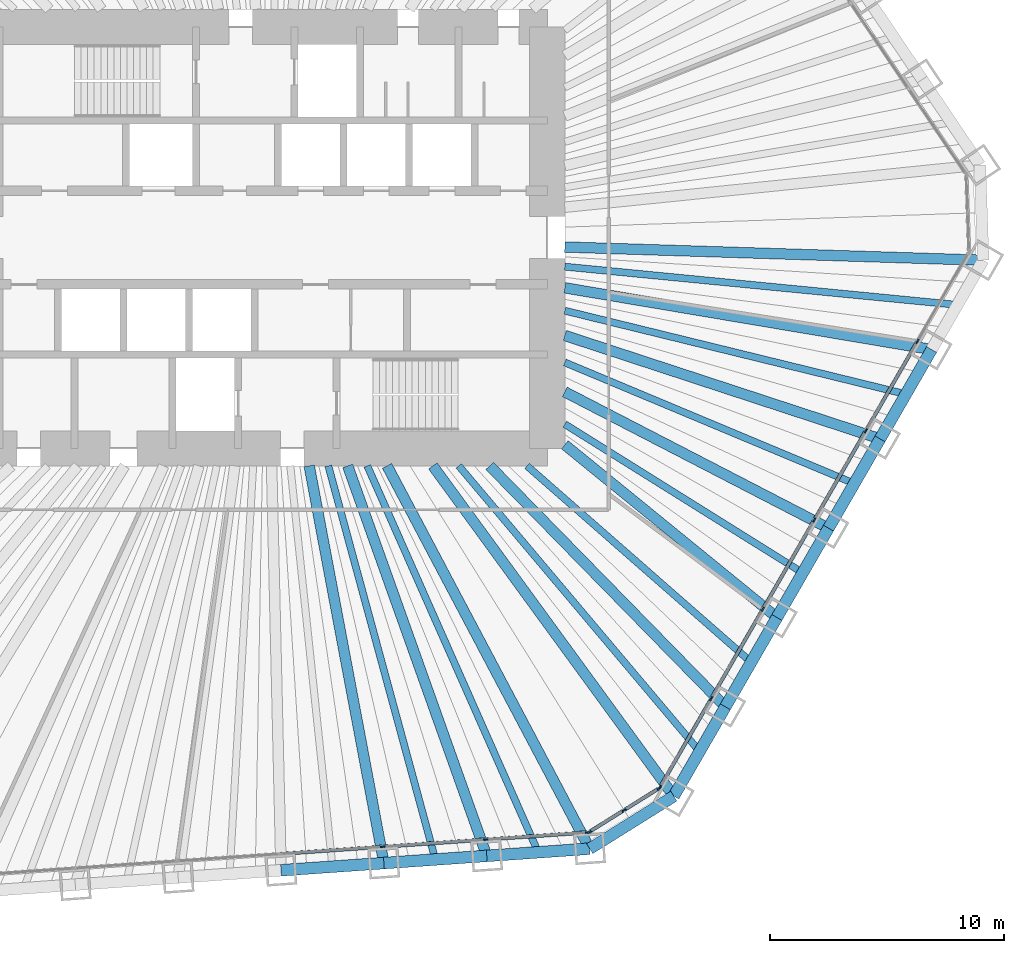
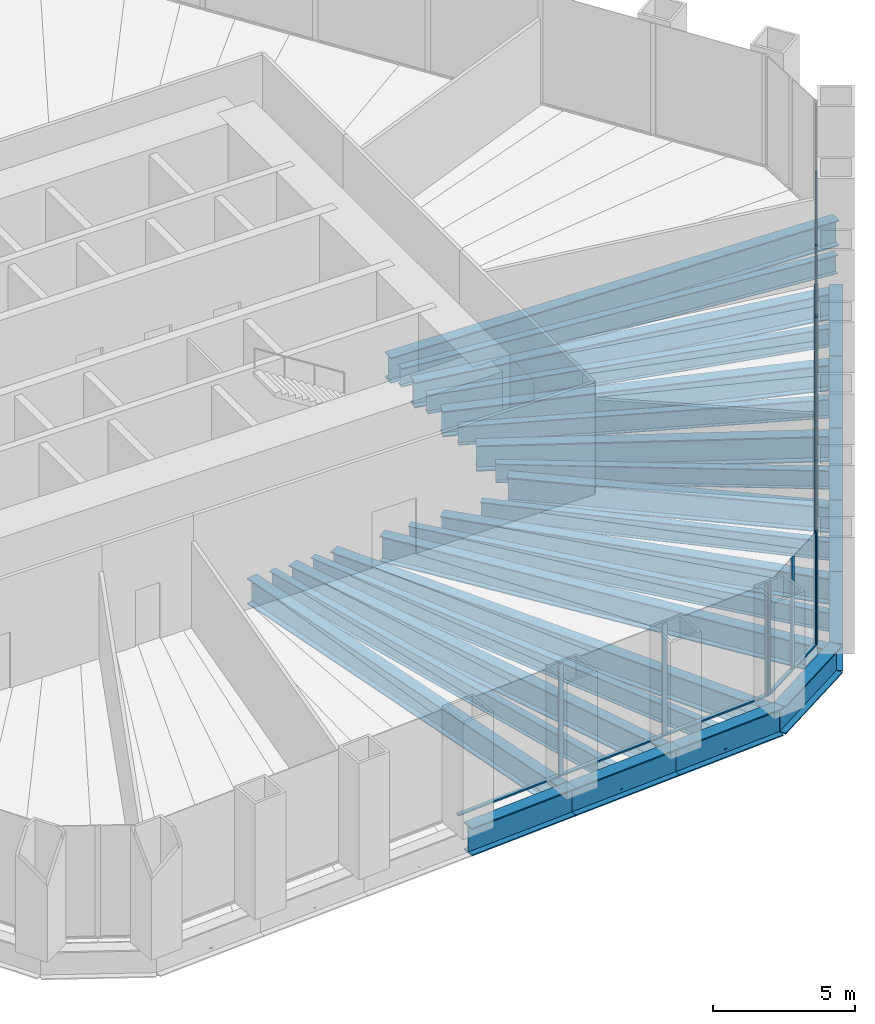
# One storey, part 4 of 13: 27 beams, 22 members, 3 elements without a shape of their own.
"""IFC4 building model written with IfcOpenShell, lengths in metres."""

from ifc_helpers import new_model, si_unit, direction, frame, origin, origin_2d, place, context, subcontext, project, spatial, rectangle, i_section, extrude, material, material_profile, profile_set, type_object, element, aggregate, save


model = new_model("IFC4")

# Units and contexts
model_context = context("Model", 3, precision=1e-05, world=origin(), true_north=direction((0.0, 1.0)))
body_context = subcontext(model_context, "Body", "Model", "MODEL_VIEW")
ifc_project = project(units=[si_unit("LENGTHUNIT", "METRE"), si_unit("AREAUNIT", "SQUARE_METRE"), si_unit("VOLUMEUNIT", "CUBIC_METRE"), si_unit("PLANEANGLEUNIT", "RADIAN"), si_unit("MASSUNIT", "GRAM", prefix="KILO")], contexts=[model_context])

# Site, building, storey
site_placement = place(None, origin())
site = spatial("IfcSite", under=ifc_project, at=site_placement, CompositionType="ELEMENT")
building_placement = place(site_placement, origin())
building = spatial("IfcBuilding", under=site, at=building_placement, Name="Qingtian Harvest Tower", CompositionType="ELEMENT")
storey_placement = place(building_placement, frame((0.0, 0.0, 42.0)))
storey = spatial("IfcBuildingStorey", under=building, at=storey_placement, Name="L08", CompositionType="ELEMENT", Elevation=42.0)

# Beams
ifc_material_1 = material(Name="Steel SM570MC", Category="steel")
ifc_material_profile_1 = material_profile(ifc_material_1, i_section(OverallWidth=0.449951171875, OverallDepth=1.10009765625, WebThickness=0.02197265625, FlangeThickness=0.044921875, at=origin_2d()), Name="H1100x450x22x45")
ifc_profile_set_1 = profile_set([ifc_material_profile_1], Name="Steel SM570MC")
beam_type_1 = type_object("IfcBeamType", Name="Corner floor beam FB8 H1100x450x22x45", PredefinedType="BEAM", material=ifc_profile_set_1)
beam_1_placement = place(storey_placement, frame((30.618408203125, -0.96728515625, -0.75), z_axis=(-0.999501426546, 0.031573696842, 0.0), x_axis=(-0.031573696842, -0.999501426546, 0.0)))
element("IfcBeam", 1, at=beam_1_placement, inside=storey, type_object=beam_type_1, Name="Floor beam FB8 SE0", PredefinedType="BEAM", context=body_context, shape_type="SweptSolid", body=[
    extrude(i_section(OverallWidth=0.449951171875, OverallDepth=1.10009765625, WebThickness=0.02197265625, FlangeThickness=0.044921875, at=origin_2d()), origin(), (0.0, 0.0, 1.0), 17.87744140625),
])
beam_2_placement = place(storey_placement, frame((17.404541015625, -23.854248046875, -0.75), z_axis=(-0.58941234871, 0.807832336062, 0.0), x_axis=(-0.807832336062, -0.58941234871, 0.0)))
element("IfcBeam", 2, at=beam_2_placement, inside=storey, type_object=beam_type_1, Name="Floor beam FB8 SE6", PredefinedType="BEAM", context=body_context, shape_type="SweptSolid", body=[
    extrude(i_section(OverallWidth=0.449951171875, OverallDepth=1.10009765625, WebThickness=0.02197265625, FlangeThickness=0.044921875, at=origin_2d()), origin(), (0.0, 0.0, 1.0), 17.45947265625),
])
beam_3_placement = place(storey_placement, frame((13.810546875, -26.10009765625, -0.75), z_axis=(-0.467705182679, 0.883884529843, 0.0), x_axis=(-0.883884529843, -0.467705182679, 0.0)))
element("IfcBeam", 3, at=beam_3_placement, inside=storey, type_object=beam_type_1, Name="Floor beam FB8 S0", PredefinedType="BEAM", context=body_context, shape_type="SweptSolid", body=[
    extrude(i_section(OverallWidth=0.449951171875, OverallDepth=1.10009765625, WebThickness=0.02197265625, FlangeThickness=0.044921875, at=origin_2d()), origin(), (0.0, 0.0, 1.0), 18.498046875),
])
ifc_material_2 = material(Name="Steel SM570MC", Category="steel")
ifc_material_profile_2 = material_profile(ifc_material_2, i_section(OverallWidth=0.449951171875, OverallDepth=1.10009765625, WebThickness=0.02197265625, FlangeThickness=0.044921875, at=origin_2d()), Name="H1100x450x22x45")
ifc_profile_set_2 = profile_set([ifc_material_profile_2], Name="Steel SM570MC")
beam_type_2 = type_object("IfcBeamType", Name="Floor beam FB1 H1100x450x22x45", PredefinedType="BEAM", material=ifc_profile_set_2)
beam_4_placement = place(storey_placement, frame((28.416015625, -4.78173828125, -0.75), z_axis=(-0.986135195489, 0.16594389479, 0.0), x_axis=(-0.16594389479, -0.986135195489, 0.0)))
element("IfcBeam", 4, at=beam_4_placement, inside=storey, type_object=beam_type_2, Name="Floor beam FB1 SE1", PredefinedType="BEAM", context=body_context, shape_type="SweptSolid", body=[
    extrude(i_section(OverallWidth=0.449951171875, OverallDepth=1.10009765625, WebThickness=0.02197265625, FlangeThickness=0.044921875, at=origin_2d()), origin(), (0.0, 0.0, 1.0), 15.88623046875),
])
beam_5_placement = place(storey_placement, frame((26.2138671875, -8.596435546875, -0.75), z_axis=(-0.950210724421, 0.311608053803, 0.0), x_axis=(-0.311608053803, -0.950210724421, 0.0)))
element("IfcBeam", 5, at=beam_5_placement, inside=storey, type_object=beam_type_2, Name="Floor beam FB1 SE2", PredefinedType="BEAM", context=body_context, shape_type="SweptSolid", body=[
    extrude(i_section(OverallWidth=0.449951171875, OverallDepth=1.10009765625, WebThickness=0.02197265625, FlangeThickness=0.044921875, at=origin_2d()), origin(), (0.0, 0.0, 1.0), 14.16943359375),
])
beam_6_placement = place(storey_placement, frame((24.011474609375, -12.410888671875, -0.75), z_axis=(-0.888349581519, 0.45916774823, 0.0), x_axis=(-0.45916774823, -0.888349581519, 0.0)))
element("IfcBeam", 6, at=beam_6_placement, inside=storey, type_object=beam_type_2, Name="Floor beam FB1 SE3", PredefinedType="BEAM", context=body_context, shape_type="SweptSolid", body=[
    extrude(i_section(OverallWidth=0.449951171875, OverallDepth=1.10009765625, WebThickness=0.02197265625, FlangeThickness=0.044921875, at=origin_2d()), origin(), (0.0, 0.0, 1.0), 12.6767578125),
])
beam_7_placement = place(storey_placement, frame((21.809326171875, -16.225341796875, -0.75), z_axis=(-0.775504415669, 0.631342142802, 0.0), x_axis=(-0.631342142802, -0.775504415669, 0.0)))
element("IfcBeam", 7, at=beam_7_placement, inside=storey, type_object=beam_type_2, Name="Floor beam FB1 SE4", PredefinedType="BEAM", context=body_context, shape_type="SweptSolid", body=[
    extrude(i_section(OverallWidth=0.449951171875, OverallDepth=1.10009765625, WebThickness=0.02197265625, FlangeThickness=0.044921875, at=origin_2d()), origin(), (0.0, 0.0, 1.0), 11.681884765625),
])
beam_8_placement = place(storey_placement, frame((19.60693359375, -20.039794921875, -0.75), z_axis=(-0.699348221539, 0.714781130858, 0.0), x_axis=(-0.714781130858, -0.699348221539, 0.0)))
element("IfcBeam", 8, at=beam_8_placement, inside=storey, type_object=beam_type_2, Name="Floor beam FB1 SE5", PredefinedType="BEAM", context=body_context, shape_type="SweptSolid", body=[
    extrude(i_section(OverallWidth=0.449951171875, OverallDepth=1.10009765625, WebThickness=0.02197265625, FlangeThickness=0.044921875, at=origin_2d()), origin(), (0.0, 0.0, 1.0), 14.395751953125),
])
beam_9_placement = place(storey_placement, frame((9.41650390625, -26.407470703125, -0.75), z_axis=(-0.33586498155, 0.941910141239, 0.0), x_axis=(-0.941910141239, -0.33586498155, 0.0)))
element("IfcBeam", 9, at=beam_9_placement, inside=storey, type_object=beam_type_2, Name="Floor beam FB1 S1", PredefinedType="BEAM", context=body_context, shape_type="SweptSolid", body=[
    extrude(i_section(OverallWidth=0.449951171875, OverallDepth=1.10009765625, WebThickness=0.02197265625, FlangeThickness=0.044921875, at=origin_2d()), origin(), (0.0, 0.0, 1.0), 17.684814453125),
])
beam_10_placement = place(storey_placement, frame((5.022705078125, -26.714599609375, -0.75), z_axis=(-0.184782942099, 0.98277935688, 0.0), x_axis=(-0.98277935688, -0.184782942099, 0.0)))
element("IfcBeam", 10, at=beam_10_placement, inside=storey, type_object=beam_type_2, Name="Floor beam FB1 S2", PredefinedType="BEAM", context=body_context, shape_type="SweptSolid", body=[
    extrude(i_section(OverallWidth=0.449951171875, OverallDepth=1.10009765625, WebThickness=0.02197265625, FlangeThickness=0.044921875, at=origin_2d()), origin(), (0.0, 0.0, 1.0), 17.261962890625),
])
ifc_material_3 = material(Name="Steel SN490B", Category="steel")
ifc_material_profile_3 = material_profile(ifc_material_3, i_section(OverallWidth=0.300048828125, OverallDepth=0.800048828125, WebThickness=0.013916015625, FlangeThickness=0.02587890625, at=origin_2d()), Name="H800x300x14x26")
ifc_profile_set_3 = profile_set([ifc_material_profile_3], Name="Steel SN490B")
beam_type_3 = type_object("IfcBeamType", Name="Floor joist J1 H800x300x14x26", PredefinedType="JOIST", material=ifc_profile_set_3)
beam_11_placement = place(storey_placement, frame((29.517333984375, -2.87451171875, -0.60009765625), z_axis=(-0.995291970786, 0.096922097011, 0.0), x_axis=(-0.096922097011, -0.995291970786, 0.0)))
element("IfcBeam", 11, at=beam_11_placement, inside=storey, type_object=beam_type_3, Name="Floor joist J1 SE0", PredefinedType="JOIST", context=body_context, shape_type="SweptSolid", body=[
    extrude(i_section(OverallWidth=0.300048828125, OverallDepth=0.800048828125, WebThickness=0.013916015625, FlangeThickness=0.02587890625, at=origin_2d()), origin(), (0.0, 0.0, 1.0), 16.8466796875),
])
beam_12_placement = place(storey_placement, frame((27.31494140625, -6.68896484375, -0.60009765625), z_axis=(-0.971301533706, 0.237851488583, 0.0), x_axis=(-0.237851488583, -0.971301533706, 0.0)))
element("IfcBeam", 12, at=beam_12_placement, inside=storey, type_object=beam_type_3, Name="Floor joist J1 SE1", PredefinedType="JOIST", context=body_context, shape_type="SweptSolid", body=[
    extrude(i_section(OverallWidth=0.300048828125, OverallDepth=0.800048828125, WebThickness=0.013916015625, FlangeThickness=0.02587890625, at=origin_2d()), origin(), (0.0, 0.0, 1.0), 14.995361328125),
])
beam_13_placement = place(storey_placement, frame((25.112548828125, -10.503662109375, -0.60009765625), z_axis=(-0.922550516103, 0.385876334125, 0.0), x_axis=(-0.385876334125, -0.922550516103, 0.0)))
element("IfcBeam", 13, at=beam_13_placement, inside=storey, type_object=beam_type_3, Name="Floor joist J1 SE2", PredefinedType="JOIST", context=body_context, shape_type="SweptSolid", body=[
    extrude(i_section(OverallWidth=0.300048828125, OverallDepth=0.800048828125, WebThickness=0.013916015625, FlangeThickness=0.02587890625, at=origin_2d()), origin(), (0.0, 0.0, 1.0), 13.400390625),
])
beam_14_placement = place(storey_placement, frame((22.910400390625, -14.318115234375, -0.60009765625), z_axis=(-0.848013185461, 0.52997512893, 0.0), x_axis=(-0.52997512893, -0.848013185461, 0.0)))
element("IfcBeam", 14, at=beam_14_placement, inside=storey, type_object=beam_type_3, Name="Floor joist J1 SE3", PredefinedType="JOIST", context=body_context, shape_type="SweptSolid", body=[
    extrude(i_section(OverallWidth=0.300048828125, OverallDepth=0.800048828125, WebThickness=0.013916015625, FlangeThickness=0.02587890625, at=origin_2d()), origin(), (0.0, 0.0, 1.0), 11.9814453125),
])
beam_15_placement = place(storey_placement, frame((20.7080078125, -18.132568359375, -0.60009765625), z_axis=(-0.75234369212, 0.658770801514, 0.0), x_axis=(-0.658770801514, -0.75234369212, 0.0)))
element("IfcBeam", 15, at=beam_15_placement, inside=storey, type_object=beam_type_3, Name="Floor joist J1 SE4", PredefinedType="JOIST", context=body_context, shape_type="SweptSolid", body=[
    extrude(i_section(OverallWidth=0.300048828125, OverallDepth=0.800048828125, WebThickness=0.013916015625, FlangeThickness=0.02587890625, at=origin_2d()), origin(), (0.0, 0.0, 1.0), 12.724609375),
])
beam_16_placement = place(storey_placement, frame((18.505859375, -21.947021484375, -0.60009765625), z_axis=(-0.644630398038, 0.76449437534, 0.0), x_axis=(-0.76449437534, -0.644630398038, 0.0)))
element("IfcBeam", 16, at=beam_16_placement, inside=storey, type_object=beam_type_3, Name="Floor joist J1 SE5", PredefinedType="JOIST", context=body_context, shape_type="SweptSolid", body=[
    extrude(i_section(OverallWidth=0.300048828125, OverallDepth=0.800048828125, WebThickness=0.013916015625, FlangeThickness=0.02587890625, at=origin_2d()), origin(), (0.0, 0.0, 1.0), 15.954345703125),
])
beam_17_placement = place(storey_placement, frame((11.613525390625, -26.25390625, -0.60009765625), z_axis=(-0.404539958959, 0.914520323233, 0.0), x_axis=(-0.914520323233, -0.404539958959, 0.0)))
element("IfcBeam", 17, at=beam_17_placement, inside=storey, type_object=beam_type_3, Name="Floor joist J1 S0", PredefinedType="JOIST", context=body_context, shape_type="SweptSolid", body=[
    extrude(i_section(OverallWidth=0.300048828125, OverallDepth=0.800048828125, WebThickness=0.013916015625, FlangeThickness=0.02587890625, at=origin_2d()), origin(), (0.0, 0.0, 1.0), 18.046630859375),
])
beam_18_placement = place(storey_placement, frame((7.2197265625, -26.56103515625, -0.60009765625), z_axis=(-0.262302659247, 0.964985655309, 0.0), x_axis=(-0.964985655309, -0.262302659247, 0.0)))
element("IfcBeam", 18, at=beam_18_placement, inside=storey, type_object=beam_type_3, Name="Floor joist J1 S1", PredefinedType="JOIST", context=body_context, shape_type="SweptSolid", body=[
    extrude(i_section(OverallWidth=0.300048828125, OverallDepth=0.800048828125, WebThickness=0.013916015625, FlangeThickness=0.02587890625, at=origin_2d()), origin(), (0.0, 0.0, 1.0), 17.421142578125),
])

# Curtain wall, members
ifc_material_4 = material(Name="Bronze-anodised aluminium curtain wall", Category="aluminium")
curtain_wall_type = type_object("IfcCurtainWallType", Name="Curtain wall CW2 farm reception", PredefinedType="USERDEFINED", material=ifc_material_4)
curtain_wall_1_placement = place(storey_placement, origin())
curtain_wall_1 = element("IfcCurtainWall", 19, at=curtain_wall_1_placement, inside=storey, type_object=curtain_wall_type, Name="Curtain wall CW2 L08 SE0-5", ObjectType="RECESSED CURTAIN WALL", PredefinedType="USERDEFINED")
ifc_material_5 = material(Name="Bronze-anodised aluminium mullion", Category="aluminium")
ifc_material_profile_4 = material_profile(ifc_material_5, rectangle(XDim=0.06494140625, YDim=0.199951171875, at=origin_2d()), Name="AL 65x200")
ifc_profile_set_4 = profile_set([ifc_material_profile_4], Name="Bronze-anodised aluminium mullion")
member_type_1 = type_object("IfcMemberType", Name="Mullion CWM 65x200", PredefinedType="MULLION", material=ifc_profile_set_4)
member_1_placement = place(storey_placement, frame((27.809814453125, -4.431884765625, 0.0), z_axis=(0.0, 0.0, 1.0), x_axis=(0.866025403784, -0.5, 0.0)))
member_1 = element("IfcMember", 20, at=member_1_placement, type_object=member_type_1, Name="CW2 mullion 2", PredefinedType="MULLION", context=body_context, shape_type="SweptSolid", body=[
    extrude(rectangle(XDim=0.06494140625, YDim=0.199951171875, at=origin_2d()), origin(), (0.0, 0.0, 1.0), 4.800048828125),
])
member_2_placement = place(storey_placement, frame((25.607666015625, -8.246337890625, 0.0), z_axis=(0.0, 0.0, 1.0), x_axis=(0.866025403784, -0.5, 0.0)))
member_2 = element("IfcMember", 21, at=member_2_placement, type_object=member_type_1, Name="CW2 mullion 3", PredefinedType="MULLION", context=body_context, shape_type="SweptSolid", body=[
    extrude(rectangle(XDim=0.06494140625, YDim=0.199951171875, at=origin_2d()), origin(), (0.0, 0.0, 1.0), 4.800048828125),
])
member_3_placement = place(storey_placement, frame((23.4052734375, -12.060791015625, 0.0), z_axis=(0.0, 0.0, 1.0), x_axis=(0.866025403784, -0.5, 0.0)))
member_3 = element("IfcMember", 22, at=member_3_placement, type_object=member_type_1, Name="CW2 mullion 4", PredefinedType="MULLION", context=body_context, shape_type="SweptSolid", body=[
    extrude(rectangle(XDim=0.06494140625, YDim=0.199951171875, at=origin_2d()), origin(), (0.0, 0.0, 1.0), 4.800048828125),
])
member_4_placement = place(storey_placement, frame((21.202880859375, -15.875244140625, 0.0), z_axis=(0.0, 0.0, 1.0), x_axis=(0.866025403784, -0.5, 0.0)))
member_4 = element("IfcMember", 23, at=member_4_placement, type_object=member_type_1, Name="CW2 mullion 5", PredefinedType="MULLION", context=body_context, shape_type="SweptSolid", body=[
    extrude(rectangle(XDim=0.06494140625, YDim=0.199951171875, at=origin_2d()), origin(), (0.0, 0.0, 1.0), 4.800048828125),
])
member_5_placement = place(storey_placement, frame((19.000732421875, -19.68994140625, 0.0), z_axis=(0.0, 0.0, 1.0), x_axis=(0.866025403784, -0.5, 0.0)))
member_5 = element("IfcMember", 24, at=member_5_placement, type_object=member_type_1, Name="CW2 mullion 6", PredefinedType="MULLION", context=body_context, shape_type="SweptSolid", body=[
    extrude(rectangle(XDim=0.06494140625, YDim=0.199951171875, at=origin_2d()), origin(), (0.0, 0.0, 1.0), 4.800048828125),
])
member_6_placement = place(storey_placement, frame((16.814697265625, -23.47607421875, 0.0), z_axis=(0.0, 0.0, 1.0), x_axis=(0.866025403784, -0.5, 0.0)))
member_6 = element("IfcMember", 25, at=member_6_placement, type_object=member_type_1, Name="CW2 mullion 7", PredefinedType="MULLION", context=body_context, shape_type="SweptSolid", body=[
    extrude(rectangle(XDim=0.06494140625, YDim=0.199951171875, at=origin_2d()), origin(), (0.0, 0.0, 1.0), 4.800048828125),
])

curtain_wall_2_placement = place(storey_placement, origin())
curtain_wall_2 = element("IfcCurtainWall", 26, at=curtain_wall_2_placement, inside=storey, type_object=curtain_wall_type, Name="Curtain wall CW2 L08 SEC", ObjectType="RECESSED CURTAIN WALL", PredefinedType="USERDEFINED")
member_7_placement = place(storey_placement, frame((16.770751953125, -23.521484375, 0.0), z_axis=(0.0, 0.0, 1.0), x_axis=(0.529919264233, -0.848048096156, 0.0)))
member_7 = element("IfcMember", 27, at=member_7_placement, type_object=member_type_1, Name="CW2 mullion 1", PredefinedType="MULLION", context=body_context, shape_type="SweptSolid", body=[
    extrude(rectangle(XDim=0.06494140625, YDim=0.199951171875, at=origin_2d()), origin(), (0.0, 0.0, 1.0), 4.800048828125),
])
member_8_placement = place(storey_placement, frame((15.280029296875, -24.453125, 0.0), z_axis=(0.0, 0.0, 1.0), x_axis=(0.529919264233, -0.848048096156, 0.0)))
member_8 = element("IfcMember", 28, at=member_8_placement, type_object=member_type_1, Name="CW2 mullion 2", PredefinedType="MULLION", context=body_context, shape_type="SweptSolid", body=[
    extrude(rectangle(XDim=0.06494140625, YDim=0.199951171875, at=origin_2d()), origin(), (0.0, 0.0, 1.0), 4.800048828125),
])
member_9_placement = place(storey_placement, frame((13.789306640625, -25.384765625, 0.0), z_axis=(0.0, 0.0, 1.0), x_axis=(0.529919264233, -0.848048096156, 0.0)))
member_9 = element("IfcMember", 29, at=member_9_placement, type_object=member_type_1, Name="CW2 mullion 3", PredefinedType="MULLION", context=body_context, shape_type="SweptSolid", body=[
    extrude(rectangle(XDim=0.06494140625, YDim=0.199951171875, at=origin_2d()), origin(), (0.0, 0.0, 1.0), 4.800048828125),
])

curtain_wall_3_placement = place(storey_placement, origin())
curtain_wall_3 = element("IfcCurtainWall", 30, at=curtain_wall_3_placement, inside=storey, type_object=curtain_wall_type, Name="Curtain wall CW2 L08 S0-5", ObjectType="RECESSED CURTAIN WALL", PredefinedType="USERDEFINED")
member_10_placement = place(storey_placement, frame((13.729248046875, -25.404296875, 0.0), z_axis=(0.0, 0.0, 1.0), x_axis=(0.069756473744, -0.99756405026, 0.0)))
member_10 = element("IfcMember", 31, at=member_10_placement, type_object=member_type_1, Name="CW2 mullion 1", PredefinedType="MULLION", context=body_context, shape_type="SweptSolid", body=[
    extrude(rectangle(XDim=0.06494140625, YDim=0.199951171875, at=origin_2d()), origin(), (0.0, 0.0, 1.0), 4.800048828125),
])
member_11_placement = place(storey_placement, frame((9.36767578125, -25.709228515625, 0.0), z_axis=(0.0, 0.0, 1.0), x_axis=(0.069756473744, -0.99756405026, 0.0)))
member_11 = element("IfcMember", 32, at=member_11_placement, type_object=member_type_1, Name="CW2 mullion 2", PredefinedType="MULLION", context=body_context, shape_type="SweptSolid", body=[
    extrude(rectangle(XDim=0.06494140625, YDim=0.199951171875, at=origin_2d()), origin(), (0.0, 0.0, 1.0), 4.800048828125),
])
member_12_placement = place(storey_placement, frame((4.973876953125, -26.016357421875, 0.0), z_axis=(0.0, 0.0, 1.0), x_axis=(0.069756473744, -0.99756405026, 0.0)))
member_12 = element("IfcMember", 33, at=member_12_placement, type_object=member_type_1, Name="CW2 mullion 3", PredefinedType="MULLION", context=body_context, shape_type="SweptSolid", body=[
    extrude(rectangle(XDim=0.06494140625, YDim=0.199951171875, at=origin_2d()), origin(), (0.0, 0.0, 1.0), 4.800048828125),
])

# Beams
ifc_material_6 = material(Name="Steel SM570MC", Category="steel")
ifc_material_profile_5 = material_profile(ifc_material_6, i_section(OverallWidth=0.5, OverallDepth=1.199951171875, WebThickness=0.02490234375, FlangeThickness=0.050048828125, at=origin_2d()), Name="H1200x500x25x50")
ifc_profile_set_5 = profile_set([ifc_material_profile_5], Name="Steel SM570MC")
beam_type_4 = type_object("IfcBeamType", Name="Spandrel beam SB1 H1200x500x25x50", PredefinedType="SPANDREL", material=ifc_profile_set_5)
beam_19_placement = place(storey_placement, frame((28.416015625, -4.78173828125, -0.60009765625), z_axis=(-0.499954356739, -0.86605175433, 0.0), x_axis=(0.86605175433, -0.499954356739, 0.0)))
element("IfcBeam", 34, at=beam_19_placement, inside=storey, type_object=beam_type_4, Name="Spandrel SB1 SE1", PredefinedType="SPANDREL", context=body_context, shape_type="SweptSolid", body=[
    extrude(i_section(OverallWidth=0.5, OverallDepth=1.199951171875, WebThickness=0.02490234375, FlangeThickness=0.050048828125, at=origin_2d()), origin(), (0.0, 0.0, 1.0), 4.40478515625),
])
for number, where, z_axis, x_axis, name in (
    (35, (26.2138671875, -8.596435546875, -0.60009765625), (-0.50001992892, -0.866013897511, 0.0), (0.866013897511, -0.50001992892, 0.0), "Spandrel SB1 SE2"),
    (36, (24.011474609375, -12.410888671875, -0.60009765625), (-0.499978356969, -0.866037899034, 0.0), (0.866037899034, -0.499978356969, 0.0), "Spandrel SB1 SE3"),
    (37, (21.809326171875, -16.225341796875, -0.60009765625), (-0.50001992892, -0.866013897511, 0.0), (0.866013897511, -0.50001992892, 0.0), "Spandrel SB1 SE4"),
    (38, (19.60693359375, -20.039794921875, -0.60009765625), (-0.50001992892, -0.866013897511, 0.0), (0.866013897511, -0.50001992892, 0.0), "Spandrel SB1 SE5"),
):
    element("IfcBeam", number, at=place(storey_placement, frame(where, z_axis=z_axis, x_axis=x_axis)), inside=storey, type_object=beam_type_4, Name=name, PredefinedType="SPANDREL", context=body_context, shape_type="SweptSolid", body=[
        extrude(i_section(OverallWidth=0.5, OverallDepth=1.199951171875, WebThickness=0.02490234375, FlangeThickness=0.050048828125, at=origin_2d()), origin(), (0.0, 0.0, 1.0), 4.404541015625),
    ])
beam_20_placement = place(storey_placement, frame((17.404541015625, -23.854248046875, -0.60009765625), z_axis=(-0.848040374245, -0.529931621675, 0.0), x_axis=(0.529931621675, -0.848040374245, 0.0)))
element("IfcBeam", 39, at=beam_20_placement, inside=storey, type_object=beam_type_4, Name="Spandrel SB1 SEC", PredefinedType="SPANDREL", context=body_context, shape_type="SweptSolid", body=[
    extrude(i_section(OverallWidth=0.5, OverallDepth=1.199951171875, WebThickness=0.02490234375, FlangeThickness=0.050048828125, at=origin_2d()), origin(), (0.0, 0.0, 1.0), 4.238037109375),
])
beam_21_placement = place(storey_placement, frame((13.810546875, -26.10009765625, -0.60009765625), z_axis=(-0.997562286406, -0.069781693443, 0.0), x_axis=(0.069781693443, -0.997562286406, 0.0)))
element("IfcBeam", 40, at=beam_21_placement, inside=storey, type_object=beam_type_4, Name="Spandrel SB1 S0", PredefinedType="SPANDREL", context=body_context, shape_type="SweptSolid", body=[
    extrude(i_section(OverallWidth=0.5, OverallDepth=1.199951171875, WebThickness=0.02490234375, FlangeThickness=0.050048828125, at=origin_2d()), origin(), (0.0, 0.0, 1.0), 4.40478515625),
])
for number, where, z_axis, x_axis, name in (
    (41, (9.41650390625, -26.407470703125, -0.60009765625), (-0.997565873714, -0.069730392239, 0.0), (0.069730392239, -0.997565873714, 0.0), "Spandrel SB1 S1"),
    (42, (5.022705078125, -26.714599609375, -0.60009765625), (-0.997562016486, -0.069785551967, 0.0), (0.069785551967, -0.997562016486, 0.0), "Spandrel SB1 S2"),
):
    element("IfcBeam", number, at=place(storey_placement, frame(where, z_axis=z_axis, x_axis=x_axis)), inside=storey, type_object=beam_type_4, Name=name, PredefinedType="SPANDREL", context=body_context, shape_type="SweptSolid", body=[
        extrude(i_section(OverallWidth=0.5, OverallDepth=1.199951171875, WebThickness=0.02490234375, FlangeThickness=0.050048828125, at=origin_2d()), origin(), (0.0, 0.0, 1.0), 4.404541015625),
    ])

# Member
ifc_material_7 = material(Name="Bronze-anodised aluminium transom", Category="aluminium")
ifc_material_profile_6 = material_profile(ifc_material_7, rectangle(XDim=0.14990234375, YDim=0.06494140625, at=origin_2d()), Name="AL 65x150")
ifc_profile_set_6 = profile_set([ifc_material_profile_6], Name="Bronze-anodised aluminium transom")
member_type_2 = type_object("IfcMemberType", Name="Transom CWT 65x150", PredefinedType="USERDEFINED", material=ifc_profile_set_6)
member_13_placement = place(storey_placement, frame((27.793701171875, -4.4599609375, 0.032470703125), z_axis=(-0.500011390128, -0.866018827591, 0.0), x_axis=(0.866018827591, -0.500011390128, 0.0)))
member_13 = element("IfcMember", 43, at=member_13_placement, type_object=member_type_2, Name="CW2 transom 2.1", ObjectType="TRANSOM", PredefinedType="USERDEFINED", context=body_context, shape_type="SweptSolid", body=[
    extrude(rectangle(XDim=0.14990234375, YDim=0.06494140625, at=origin_2d()), origin(), (0.0, 0.0, 1.0), 4.33984375),
])

member_14_placement = place(storey_placement, frame((25.59130859375, -8.2744140625, 0.032470703125), z_axis=(-0.499969196308, -0.866043187574, 0.0), x_axis=(0.866043187574, -0.499969196308, 0.0)))
member_14 = element("IfcMember", 44, at=member_14_placement, type_object=member_type_2, Name="CW2 transom 3.1", ObjectType="TRANSOM", PredefinedType="USERDEFINED", context=body_context, shape_type="SweptSolid", body=[
    extrude(rectangle(XDim=0.14990234375, YDim=0.06494140625, at=origin_2d()), origin(), (0.0, 0.0, 1.0), 4.339599609375),
])

member_15_placement = place(storey_placement, frame((23.38916015625, -12.0888671875, 0.032470703125), z_axis=(-0.500011390128, -0.866018827591, 0.0), x_axis=(0.866018827591, -0.500011390128, 0.0)))
member_15 = element("IfcMember", 45, at=member_15_placement, type_object=member_type_2, Name="CW2 transom 4.1", ObjectType="TRANSOM", PredefinedType="USERDEFINED", context=body_context, shape_type="SweptSolid", body=[
    extrude(rectangle(XDim=0.14990234375, YDim=0.06494140625, at=origin_2d()), origin(), (0.0, 0.0, 1.0), 4.33984375),
])

member_16_placement = place(storey_placement, frame((21.186767578125, -15.903564453125, 0.032470703125), z_axis=(-0.500035751442, -0.866004761696, 0.0), x_axis=(0.866004761696, -0.500035751442, 0.0)))
member_16 = element("IfcMember", 46, at=member_16_placement, type_object=member_type_2, Name="CW2 transom 5.1", ObjectType="TRANSOM", PredefinedType="USERDEFINED", context=body_context, shape_type="SweptSolid", body=[
    extrude(rectangle(XDim=0.14990234375, YDim=0.06494140625, at=origin_2d()), origin(), (0.0, 0.0, 1.0), 4.339599609375),
])

member_17_placement = place(storey_placement, frame((18.984375, -19.718017578125, 0.032470703125), z_axis=(-0.500010313095, -0.866019449435, 0.0), x_axis=(0.866019449435, -0.500010313095, 0.0)))
member_17 = element("IfcMember", 47, at=member_17_placement, type_object=member_type_2, Name="CW2 transom 6.1", ObjectType="TRANSOM", PredefinedType="USERDEFINED", context=body_context, shape_type="SweptSolid", body=[
    extrude(rectangle(XDim=0.14990234375, YDim=0.06494140625, at=origin_2d()), origin(), (0.0, 0.0, 1.0), 4.30712890625),
])

aggregate(curtain_wall_1, [member_1, member_2, member_3, member_4, member_5, member_6, member_13, member_14, member_15, member_16, member_17])

member_18_placement = place(storey_placement, frame((16.7431640625, -23.538818359375, 0.032470703125), z_axis=(-0.848063119425, -0.529895221219, 0.0), x_axis=(0.529895221219, -0.848063119425, 0.0)))
member_18 = element("IfcMember", 48, at=member_18_placement, type_object=member_type_2, Name="CW2 transom 1.1", ObjectType="TRANSOM", PredefinedType="USERDEFINED", context=body_context, shape_type="SweptSolid", body=[
    extrude(rectangle(XDim=0.14990234375, YDim=0.06494140625, at=origin_2d()), origin(), (0.0, 0.0, 1.0), 1.692626953125),
])

member_19_placement = place(storey_placement, frame((15.25244140625, -24.470458984375, 0.032470703125), z_axis=(-0.848103609743, -0.529830413568, 0.0), x_axis=(0.529830413568, -0.848103609743, 0.0)))
member_19 = element("IfcMember", 49, at=member_19_placement, type_object=member_type_2, Name="CW2 transom 2.1", ObjectType="TRANSOM", PredefinedType="USERDEFINED", context=body_context, shape_type="SweptSolid", body=[
    extrude(rectangle(XDim=0.14990234375, YDim=0.06494140625, at=origin_2d()), origin(), (0.0, 0.0, 1.0), 1.69287109375),
])

aggregate(curtain_wall_2, [member_7, member_8, member_9, member_18, member_19])

member_20_placement = place(storey_placement, frame((13.69677734375, -25.406494140625, 0.032470703125), z_axis=(-0.997566581753, -0.069720262262, 0.0), x_axis=(0.069720262262, -0.997566581753, 0.0)))
member_20 = element("IfcMember", 50, at=member_20_placement, type_object=member_type_2, Name="CW2 transom 1.1", ObjectType="TRANSOM", PredefinedType="USERDEFINED", context=body_context, shape_type="SweptSolid", body=[
    extrude(rectangle(XDim=0.14990234375, YDim=0.06494140625, at=origin_2d()), origin(), (0.0, 0.0, 1.0), 4.30712890625),
])

member_21_placement = place(storey_placement, frame((9.33544921875, -25.71142578125, 0.032470703125), z_axis=(-0.997563824095, -0.069759707979, 0.0), x_axis=(0.069759707979, -0.997563824095, 0.0)))
member_21 = element("IfcMember", 51, at=member_21_placement, type_object=member_type_2, Name="CW2 transom 2.1", ObjectType="TRANSOM", PredefinedType="USERDEFINED", context=body_context, shape_type="SweptSolid", body=[
    extrude(rectangle(XDim=0.14990234375, YDim=0.06494140625, at=origin_2d()), origin(), (0.0, 0.0, 1.0), 4.339599609375),
])

member_22_placement = place(storey_placement, frame((4.94140625, -26.018798828125, 0.032470703125), z_axis=(-0.997567737508, -0.069703723594, 0.0), x_axis=(0.069703723594, -0.997567737508, 0.0)))
member_22 = element("IfcMember", 52, at=member_22_placement, type_object=member_type_2, Name="CW2 transom 3.1", ObjectType="TRANSOM", PredefinedType="USERDEFINED", context=body_context, shape_type="SweptSolid", body=[
    extrude(rectangle(XDim=0.14990234375, YDim=0.06494140625, at=origin_2d()), origin(), (0.0, 0.0, 1.0), 4.339599609375),
])

aggregate(curtain_wall_3, [member_10, member_11, member_12, member_20, member_21, member_22])

save(model, "model.ifc")
